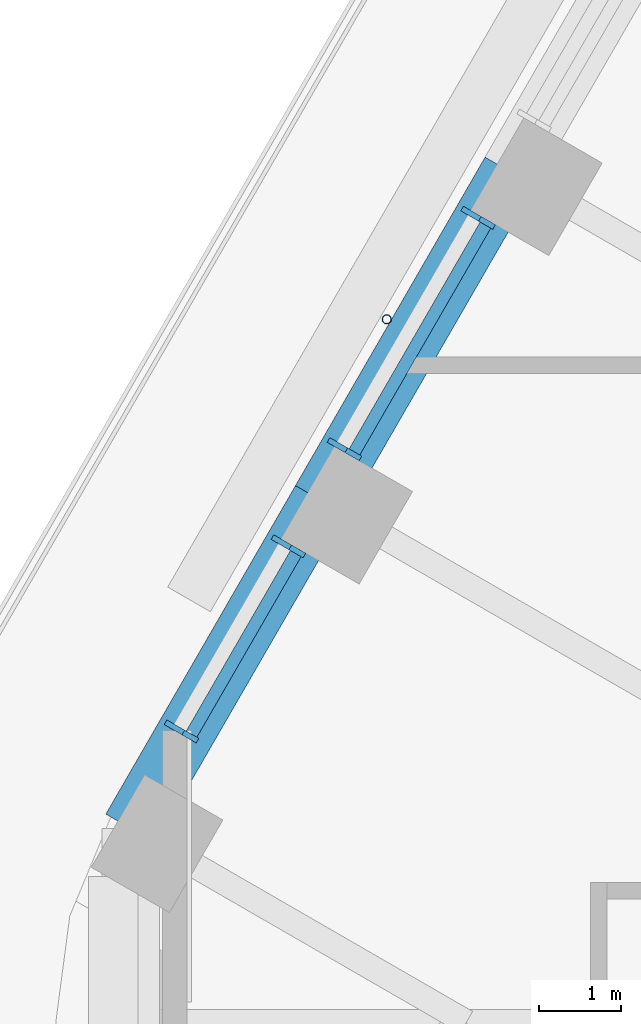
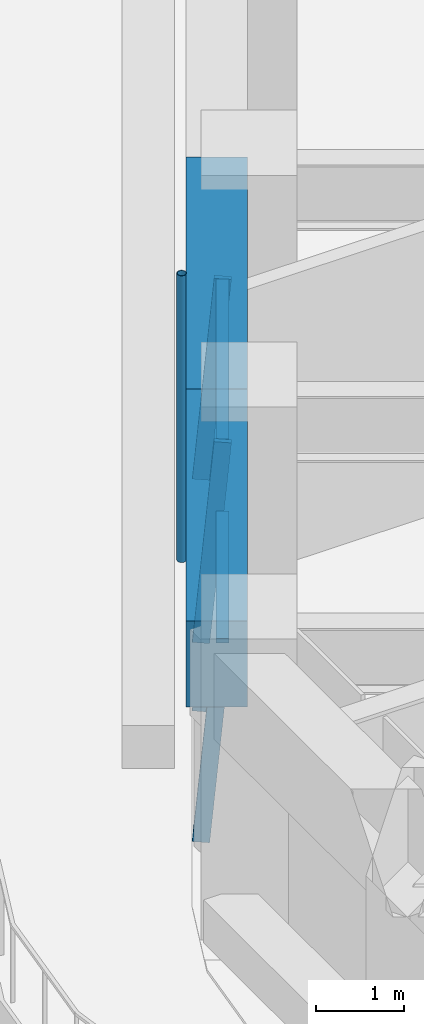
# One storey, part 6 of 20: 7 members, 2 beams, 2 elements without a shape of their own.
"""IFC4 building model written with IfcOpenShell, lengths in metres."""

from ifc_helpers import new_model, si_unit, direction, frame, origin, origin_2d, place, context, subcontext, project, spatial, rectangle, hollow_circle, extrude, material, material_profile, profile_set, type_object, element, aggregate, save


model = new_model("IFC4")

# Units and contexts
model_context = context("Model", 3, precision=1e-05, world=origin(), true_north=direction((0.0, 1.0)))
body_context = subcontext(model_context, "Body", "Model", "MODEL_VIEW")
ifc_project = project(units=[si_unit("LENGTHUNIT", "METRE"), si_unit("AREAUNIT", "SQUARE_METRE"), si_unit("VOLUMEUNIT", "CUBIC_METRE"), si_unit("PLANEANGLEUNIT", "RADIAN"), si_unit("MASSUNIT", "GRAM", prefix="KILO")], contexts=[model_context])

# Site, building, storey
site_placement = place(None, origin())
site = spatial("IfcSite", under=ifc_project, at=site_placement, CompositionType="ELEMENT")
building_placement = place(site_placement, origin())
building = spatial("IfcBuilding", under=site, at=building_placement, Name="Tarfa Lantern Tower", CompositionType="ELEMENT")
storey_placement = place(building_placement, frame((0.0, 0.0, 253.300048828125)))
storey = spatial("IfcBuildingStorey", under=building, at=storey_placement, Name="L57", CompositionType="ELEMENT", Elevation=253.300048828125)

# Curtain wall, members
ifc_material_1 = material(Name="Aluminium framed curtain wall", Category="aluminium")
curtain_wall_type = type_object("IfcCurtainWallType", Name="CW3 CANTED GLAZING HIGH ZONE 2800", PredefinedType="USERDEFINED", material=ifc_material_1)
curtain_wall_1_placement = place(storey_placement, origin())
curtain_wall_1 = element("IfcCurtainWall", 1, at=curtain_wall_1_placement, inside=storey, type_object=curtain_wall_type, Name="CW3 NW L57", ObjectType="CURTAIN WALL", PredefinedType="USERDEFINED")
ifc_material_2 = material(Name="Aluminium mullion", Category="aluminium")
ifc_material_profile_1 = material_profile(ifc_material_2, rectangle(XDim=0.06494140625, YDim=0.199951171875, at=origin_2d()), Name="AL MULLION 65x200")
ifc_profile_set_1 = profile_set([ifc_material_profile_1], Name="Aluminium mullion")
member_type_1 = type_object("IfcMemberType", Name="CWM1 MULLION 65x200", PredefinedType="MULLION", material=ifc_profile_set_1)
member_1_placement = place(storey_placement, frame((-27.6787109375, 9.85888671875, 0.0), z_axis=(0.077032386753, -0.044465143199, 0.996036576854), x_axis=(0.499919672301, 0.866071776036, 0.0)))
member_1 = element("IfcMember", 2, at=member_1_placement, type_object=member_type_1, Name="CW3 mullion 1", PredefinedType="MULLION", context=body_context, shape_type="SweptSolid", body=[
    extrude(rectangle(XDim=0.06494140625, YDim=0.199951171875, at=origin_2d()), origin(), (0.0, 0.0, 1.0), 2.811279296875),
])
member_2_placement = place(storey_placement, frame((-29.3056640625, 7.041015625, 0.0), z_axis=(0.077032386753, -0.044465143199, 0.996036576854), x_axis=(0.499919672301, 0.866071776036, 0.0)))
member_2 = element("IfcMember", 3, at=member_2_placement, type_object=member_type_1, Name="CW3 mullion 2", PredefinedType="MULLION", context=body_context, shape_type="SweptSolid", body=[
    extrude(rectangle(XDim=0.06494140625, YDim=0.199951171875, at=origin_2d()), origin(), (0.0, 0.0, 1.0), 2.811279296875),
])

curtain_wall_2_placement = place(storey_placement, origin())
curtain_wall_2 = element("IfcCurtainWall", 4, at=curtain_wall_2_placement, inside=storey, type_object=curtain_wall_type, Name="CW3 NW L57", ObjectType="CURTAIN WALL", PredefinedType="USERDEFINED")
member_3_placement = place(storey_placement, frame((-29.98828125, 5.85888671875, 0.0), z_axis=(0.077032386753, -0.044465143199, 0.996036576854), x_axis=(0.499919672301, 0.866071776036, 0.0)))
member_3 = element("IfcMember", 5, at=member_3_placement, type_object=member_type_1, Name="CW3 mullion 1", PredefinedType="MULLION", context=body_context, shape_type="SweptSolid", body=[
    extrude(rectangle(XDim=0.06494140625, YDim=0.199951171875, at=origin_2d()), origin(), (0.0, 0.0, 1.0), 2.811279296875),
])
member_4_placement = place(storey_placement, frame((-31.2900390625, 3.60400390625, 0.0), z_axis=(0.077032386753, -0.044465143199, 0.996036576854), x_axis=(0.499919672301, 0.866071776036, 0.0)))
member_4 = element("IfcMember", 6, at=member_4_placement, type_object=member_type_1, Name="CW3 mullion 2", PredefinedType="MULLION", context=body_context, shape_type="SweptSolid", body=[
    extrude(rectangle(XDim=0.06494140625, YDim=0.199951171875, at=origin_2d()), origin(), (0.0, 0.0, 1.0), 2.811279296875),
])

# Member
ifc_material_3 = material(Name="Aluminium transom", Category="aluminium")
ifc_material_profile_2 = material_profile(ifc_material_3, rectangle(XDim=0.14990234375, YDim=0.06494140625, at=origin_2d()), Name="AL TRANSOM 150x65")
ifc_profile_set_2 = profile_set([ifc_material_profile_2], Name="Aluminium transom")
member_type_2 = type_object("IfcMemberType", Name="CWT1 TRANSOM 150x65", PredefinedType="USERDEFINED", material=ifc_profile_set_2)
member_5_placement = place(storey_placement, frame((-27.48095703125, 9.707275390625, 2.767333984375), z_axis=(-0.500000789788, -0.8660249478, 0.0), x_axis=(0.8660249478, -0.500000789788, 0.0)))
member_5 = element("IfcMember", 7, at=member_5_placement, type_object=member_type_2, Name="CW3 transom 1.2", ObjectType="TRANSOM", PredefinedType="USERDEFINED", context=body_context, shape_type="SweptSolid", body=[
    extrude(rectangle(XDim=0.14990234375, YDim=0.06494140625, at=origin_2d()), origin(), (0.0, 0.0, 1.0), 3.18896484375),
])

aggregate(curtain_wall_1, [member_1, member_2, member_5])

member_6_placement = place(storey_placement, frame((-29.79052734375, 5.707275390625, 2.767333984375), z_axis=(-0.499955533855, -0.866051074803, 0.0), x_axis=(0.866051074803, -0.499955533855, 0.0)))
member_6 = element("IfcMember", 8, at=member_6_placement, type_object=member_type_2, Name="CW3 transom 1.2", ObjectType="TRANSOM", PredefinedType="USERDEFINED", context=body_context, shape_type="SweptSolid", body=[
    extrude(rectangle(XDim=0.14990234375, YDim=0.06494140625, at=origin_2d()), origin(), (0.0, 0.0, 1.0), 2.538818359375),
])

aggregate(curtain_wall_2, [member_3, member_4, member_6])

# Beams
ifc_material_4 = material(Name="Concrete C80/95", Category="concrete")
ifc_material_profile_3 = material_profile(ifc_material_4, rectangle(XDim=0.699951171875, YDim=1.199951171875, at=origin_2d()), Name="RC 700x1200")
ifc_profile_set_3 = profile_set([ifc_material_profile_3], Name="Concrete C80/95")
beam_type = type_object("IfcBeamType", Name="EB3 RC 700x1200", PredefinedType="SPANDREL", material=ifc_profile_set_3)
beam_1_placement = place(storey_placement, frame((-27.181640625, 10.360107421875, 3.39990234375), z_axis=(-0.499987836815, -0.866032426089, 0.0), x_axis=(0.866032426089, -0.499987836815, 0.0)))
element("IfcBeam", 9, at=beam_1_placement, inside=storey, type_object=beam_type, Name="Edge beam NW4", PredefinedType="SPANDREL", context=body_context, shape_type="SweptSolid", body=[
    extrude(rectangle(XDim=0.699951171875, YDim=1.199951171875, at=origin_2d()), origin(), (0.0, 0.0, 1.0), 4.61865234375),
])
beam_2_placement = place(storey_placement, frame((-29.490966796875, 6.360107421875, 3.39990234375), z_axis=(-0.500027479704, -0.866009537788, 0.0), x_axis=(0.866009537788, -0.500027479704, 0.0)))
element("IfcBeam", 10, at=beam_2_placement, inside=storey, type_object=beam_type, Name="Edge beam NW5", PredefinedType="SPANDREL", context=body_context, shape_type="SweptSolid", body=[
    extrude(rectangle(XDim=0.699951171875, YDim=1.199951171875, at=origin_2d()), origin(), (0.0, 0.0, 1.0), 4.618896484375),
])

# Member
ifc_material_5 = material(Name="Steel S355", Category="steel")
ifc_material_profile_4 = material_profile(ifc_material_5, hollow_circle(Radius=0.05712890625, WallThickness=0.00634765625, at=origin_2d()), Name="CHS114.3x6.3")
ifc_profile_set_4 = profile_set([ifc_material_profile_4], Name="Steel S355")
member_type_3 = type_object("IfcMemberType", Name="TR1 GREEN WALL TRELLIS CHS114.3x6.3", PredefinedType="USERDEFINED", material=ifc_profile_set_4)
member_7_placement = place(storey_placement, frame((-28.682861328125, 8.56005859375, 0.0), z_axis=(0.0, 0.0, 1.0), x_axis=(1.0, 0.0, 0.0)))
element("IfcMember", 11, at=member_7_placement, inside=storey, type_object=member_type_3, Name="Trellis post NW 2", ObjectType="TRELLIS", PredefinedType="USERDEFINED", context=body_context, shape_type="SweptSolid", body=[
    extrude(hollow_circle(Radius=0.05712890625, WallThickness=0.00634765625, at=origin_2d()), origin(), (0.0, 0.0, 1.0), 4.0),
])

save(model, "model.ifc")
